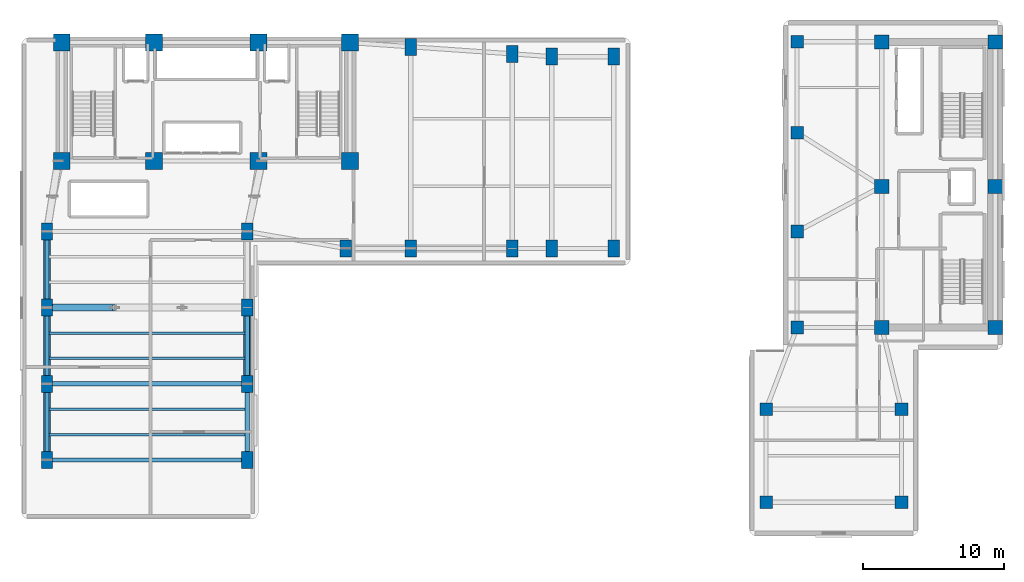
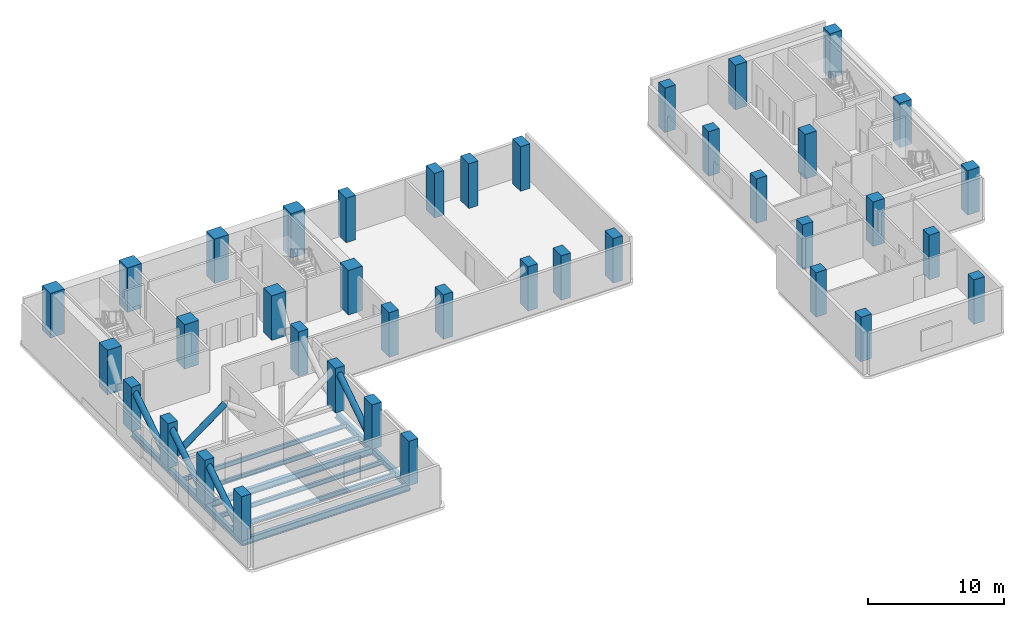
# One storey, part 1 of 9: 39 columns, 11 beams, 5 members.
"""IFC4 building model written with IfcOpenShell, lengths in metres."""

from ifc_helpers import new_model, si_unit, direction, frame, origin, origin_2d, place, context, subcontext, project, spatial, rectangle, hollow_circle, i_section, extrude, material, material_profile, profile_set, type_object, element, save


model = new_model("IFC4")

# Units and contexts
model_context = context("Model", 3, precision=1e-05, world=origin(), true_north=direction((0.0, 1.0)))
body_context = subcontext(model_context, "Body", "Model", "MODEL_VIEW")
ifc_project = project(units=[si_unit("LENGTHUNIT", "METRE"), si_unit("AREAUNIT", "SQUARE_METRE"), si_unit("VOLUMEUNIT", "CUBIC_METRE"), si_unit("PLANEANGLEUNIT", "RADIAN"), si_unit("MASSUNIT", "GRAM", prefix="KILO")], contexts=[model_context])

# Site, building, storey
site_placement = place(None, origin())
site = spatial("IfcSite", under=ifc_project, at=site_placement, CompositionType="ELEMENT")
building_placement = place(site_placement, origin())
building = spatial("IfcBuilding", under=site, at=building_placement, Name="Kuzgunbayir Cultural Tower", CompositionType="ELEMENT")
storey_placement = place(building_placement, frame((0.0, 0.0, 79.39990234375)))
storey = spatial("IfcBuildingStorey", under=building, at=storey_placement, Name="L22", CompositionType="ELEMENT", Elevation=79.39990234375)

# Columns
ifc_material_1 = material(Name="Concrete C60/75", Category="concrete")
ifc_material_profile_1 = material_profile(ifc_material_1, rectangle(XDim=1.199951171875, YDim=1.199951171875, at=origin_2d()), Name="RC 1200x1200")
ifc_profile_set_1 = profile_set([ifc_material_profile_1], Name="Concrete C60/75")
column_type_1 = type_object("IfcColumnType", Name="COL-CORE-1200", PredefinedType="COLUMN", material=ifc_profile_set_1)
for number, where, z_axis, x_axis, name in (
    (1, (6.449951171875, 33.800048828125, 0.0), (0.0, 0.0, 1.0), (1.0, 0.0, 0.0), "L22 T1 Core Boundary Column CC1-1"),
    (2, (13.0, 33.800048828125, 0.0), (0.0, 0.0, 1.0), (1.0, 0.0, 0.0), "L22 T1 Core Boundary Column CC1-2"),
    (3, (20.39990234375, 33.800048828125, 0.0), (0.0, 0.0, 1.0), (1.0, 0.0, 0.0), "L22 T1 Core Boundary Column CC1-3"),
    (4, (26.89990234375, 33.800048828125, 0.0), (0.0, 0.0, 1.0), (1.0, 0.0, 0.0), "L22 T1 Core Boundary Column CC1-4"),
    (5, (6.449951171875, 42.199951171875, 0.0), (0.0, 0.0, 1.0), (1.0, 0.0, 0.0), "L22 T1 Core Boundary Column CC1-5"),
    (6, (13.0, 42.199951171875, 0.0), (0.0, 0.0, 1.0), (1.0, 0.0, 0.0), "L22 T1 Core Boundary Column CC1-6"),
    (7, (20.39990234375, 42.199951171875, 0.0), (0.0, 0.0, 1.0), (1.0, 0.0, 0.0), "L22 T1 Core Boundary Column CC1-7"),
    (8, (26.89990234375, 42.199951171875, 0.0), (0.0, 0.0, 1.0), (1.0, 0.0, 0.0), "L22 T1 Core Boundary Column CC1-8"),
):
    element("IfcColumn", number, at=place(storey_placement, frame(where, z_axis=z_axis, x_axis=x_axis)), inside=storey, type_object=column_type_1, Name=name, PredefinedType="COLUMN", context=body_context, shape_type="SweptSolid", body=[
        extrude(rectangle(XDim=1.199951171875, YDim=1.199951171875, at=origin_2d()), origin(), (0.0, 0.0, 1.0), 4.0),
    ])
ifc_material_profile_2 = material_profile(ifc_material_1, rectangle(XDim=0.800048828125, YDim=1.199951171875, at=origin_2d()), Name="RC 1200x800")
ifc_profile_set_2 = profile_set([ifc_material_profile_2], Name="Concrete C60/75")
column_type_2 = type_object("IfcColumnType", Name="COL-T1-1200x800", PredefinedType="COLUMN", material=ifc_profile_set_2)
for number, where, z_axis, x_axis, name in (
    (9, (5.39990234375, 12.60009765625, 0.0), (0.0, 0.0, 1.0), (1.0, 0.0, 0.0), "L22 Tower 1 Wing A Column T1A-W-1"),
    (10, (19.60009765625, 12.60009765625, 0.0), (0.0, 0.0, 1.0), (1.0, 0.0, 0.0), "L22 Tower 1 Wing A Column T1A-E-1"),
    (11, (5.39990234375, 18.0, 0.0), (0.0, 0.0, 1.0), (1.0, 0.0, 0.0), "L22 Tower 1 Wing A Column T1A-W-2"),
    (12, (19.60009765625, 18.0, 0.0), (0.0, 0.0, 1.0), (1.0, 0.0, 0.0), "L22 Tower 1 Wing A Column T1A-E-2"),
    (13, (5.39990234375, 23.39990234375, 0.0), (0.0, 0.0, 1.0), (1.0, 0.0, 0.0), "L22 Tower 1 Wing A Column T1A-W-3"),
    (14, (19.60009765625, 23.39990234375, 0.0), (0.0, 0.0, 1.0), (1.0, 0.0, 0.0), "L22 Tower 1 Wing A Column T1A-E-3"),
    (15, (5.39990234375, 28.800048828125, 0.0), (0.0, 0.0, 1.0), (1.0, 0.0, 0.0), "L22 Tower 1 Wing A Column T1A-W-4"),
    (16, (19.60009765625, 28.800048828125, 0.0), (0.0, 0.0, 1.0), (1.0, 0.0, 0.0), "L22 Tower 1 Wing A Column T1A-E-4"),
    (17, (26.60009765625, 27.60009765625, 0.0), (0.0, 0.0, 1.0), (1.0, 0.0, 0.0), "L22 Tower 1 Wing B Column T1B-1-1"),
    (18, (31.199951171875, 27.60009765625, 0.0), (0.0, 0.0, 1.0), (1.0, 0.0, 0.0), "L22 Tower 1 Wing B Column T1B-2-1"),
    (19, (31.199951171875, 41.89990234375, 0.0), (0.0, 0.0, 1.0), (1.0, 0.0, 0.0), "L22 Tower 1 Wing B Column T1B-2-2"),
    (20, (38.39990234375, 27.60009765625, 0.0), (0.0, 0.0, 1.0), (1.0, 0.0, 0.0), "L22 Tower 1 Wing B Column T1B-3-1"),
    (21, (38.39990234375, 41.39990234375, 0.0), (0.0, 0.0, 1.0), (1.0, 0.0, 0.0), "L22 Tower 1 Wing B Column T1B-3-2"),
    (22, (41.199951171875, 27.60009765625, 0.0), (0.0, 0.0, 1.0), (1.0, 0.0, 0.0), "L22 Tower 1 Wing B Column T1B-4-1"),
    (23, (41.199951171875, 41.199951171875, 0.0), (0.0, 0.0, 1.0), (1.0, 0.0, 0.0), "L22 Tower 1 Wing B Column T1B-4-2"),
    (24, (45.60009765625, 27.60009765625, 0.0), (0.0, 0.0, 1.0), (1.0, 0.0, 0.0), "L22 Tower 1 Wing B Column T1B-5-1"),
    (25, (45.60009765625, 41.199951171875, 0.0), (0.0, 0.0, 1.0), (1.0, 0.0, 0.0), "L22 Tower 1 Wing B Column T1B-5-2"),
):
    element("IfcColumn", number, at=place(storey_placement, frame(where, z_axis=z_axis, x_axis=x_axis)), inside=storey, type_object=column_type_2, Name=name, PredefinedType="COLUMN", context=body_context, shape_type="SweptSolid", body=[
        extrude(rectangle(XDim=0.800048828125, YDim=1.199951171875, at=origin_2d()), origin(), (0.0, 0.0, 1.0), 4.0),
    ])
ifc_material_profile_3 = material_profile(ifc_material_1, rectangle(XDim=1.0, YDim=1.0, at=origin_2d()), Name="RC 1000x1000")
ifc_profile_set_3 = profile_set([ifc_material_profile_3], Name="Concrete C60/75")
column_type_3 = type_object("IfcColumnType", Name="COL-T2-1000", PredefinedType="COLUMN", material=ifc_profile_set_3)
for number, where, z_axis, x_axis, name in (
    (26, (64.60009765625, 22.0, 0.0), (0.0, 0.0, 1.0), (1.0, 0.0, 0.0), "L22 T2 Core Boundary Column CC2-1"),
    (27, (72.64990234375, 22.0, 0.0), (0.0, 0.0, 1.0), (1.0, 0.0, 0.0), "L22 T2 Core Boundary Column CC2-2"),
    (28, (64.60009765625, 32.0, 0.0), (0.0, 0.0, 1.0), (1.0, 0.0, 0.0), "L22 T2 Core Boundary Column CC2-3"),
    (29, (72.64990234375, 32.0, 0.0), (0.0, 0.0, 1.0), (1.0, 0.0, 0.0), "L22 T2 Core Boundary Column CC2-4"),
    (30, (64.60009765625, 42.25, 0.0), (0.0, 0.0, 1.0), (1.0, 0.0, 0.0), "L22 T2 Core Boundary Column CC2-5"),
    (31, (72.64990234375, 42.25, 0.0), (0.0, 0.0, 1.0), (1.0, 0.0, 0.0), "L22 T2 Core Boundary Column CC2-6"),
):
    element("IfcColumn", number, at=place(storey_placement, frame(where, z_axis=z_axis, x_axis=x_axis)), inside=storey, type_object=column_type_3, Name=name, PredefinedType="COLUMN", context=body_context, shape_type="SweptSolid", body=[
        extrude(rectangle(XDim=1.0, YDim=1.0, at=origin_2d()), origin(), (0.0, 0.0, 1.0), 4.0),
    ])
ifc_material_profile_4 = material_profile(ifc_material_1, rectangle(XDim=0.89990234375, YDim=0.89990234375, at=origin_2d()), Name="RC 900x900")
ifc_profile_set_4 = profile_set([ifc_material_profile_4], Name="Concrete C60/75")
column_type_4 = type_object("IfcColumnType", Name="COL-T2-900", PredefinedType="COLUMN", material=ifc_profile_set_4)
for number, where, z_axis, x_axis, name in (
    (32, (58.60009765625, 22.0, 0.0), (0.0, 0.0, 1.0), (1.0, 0.0, 0.0), "L22 Companion Wing A Column T2A-W-1"),
    (33, (58.60009765625, 28.800048828125, 0.0), (0.0, 0.0, 1.0), (1.0, 0.0, 0.0), "L22 Companion Wing A Column T2A-W-2"),
    (34, (58.60009765625, 35.800048828125, 0.0), (0.0, 0.0, 1.0), (1.0, 0.0, 0.0), "L22 Companion Wing A Column T2A-W-3"),
    (35, (58.60009765625, 42.25, 0.0), (0.0, 0.0, 1.0), (1.0, 0.0, 0.0), "L22 Companion Wing A Column T2A-W-4"),
    (36, (56.39990234375, 9.60009765625, 0.0), (0.0, 0.0, 1.0), (1.0, 0.0, 0.0), "L22 Companion Wing B Column T2B-1-1"),
    (37, (56.39990234375, 16.199951171875, 0.0), (0.0, 0.0, 1.0), (1.0, 0.0, 0.0), "L22 Companion Wing B Column T2B-1-2"),
    (38, (66.0, 9.60009765625, 0.0), (0.0, 0.0, 1.0), (1.0, 0.0, 0.0), "L22 Companion Wing B Column T2B-2-1"),
    (39, (66.0, 16.199951171875, 0.0), (0.0, 0.0, 1.0), (1.0, 0.0, 0.0), "L22 Companion Wing B Column T2B-2-2"),
):
    element("IfcColumn", number, at=place(storey_placement, frame(where, z_axis=z_axis, x_axis=x_axis)), inside=storey, type_object=column_type_4, Name=name, PredefinedType="COLUMN", context=body_context, shape_type="SweptSolid", body=[
        extrude(rectangle(XDim=0.89990234375, YDim=0.89990234375, at=origin_2d()), origin(), (0.0, 0.0, 1.0), 4.0),
    ])

# Beams
ifc_material_2 = material(Name="Steel S355J2", Category="steel")
ifc_material_profile_5 = material_profile(ifc_material_2, i_section(OverallWidth=0.300048828125, OverallDepth=0.60009765625, WebThickness=0.015380859375, FlangeThickness=0.030029296875, FilletRadius=0.027099609375, at=origin_2d()), Name="HEB 600")
ifc_profile_set_5 = profile_set([ifc_material_profile_5], Name="Steel S355J2")
beam_type_1 = type_object("IfcBeamType", Name="BM-EXT-HEB600", PredefinedType="BEAM", material=ifc_profile_set_5)
for number, where, z_axis, x_axis, name in (
    (40, (5.39990234375, 12.60009765625, -0.539794921875), (0.0, 1.0, 0.0), (-1.0, 0.0, 0.0), "L22 Wing A West Girder 1"),
    (41, (19.60009765625, 12.60009765625, -0.539794921875), (0.0, 1.0, 0.0), (-1.0, 0.0, 0.0), "L22 Wing A East Girder 1"),
    (42, (5.39990234375, 18.0, -0.539794921875), (0.0, 1.0, 0.0), (-1.0, 0.0, 0.0), "L22 Wing A West Girder 2"),
    (43, (19.60009765625, 18.0, -0.539794921875), (0.0, 1.0, 0.0), (-1.0, 0.0, 0.0), "L22 Wing A East Girder 2"),
):
    element("IfcBeam", number, at=place(storey_placement, frame(where, z_axis=z_axis, x_axis=x_axis)), inside=storey, type_object=beam_type_1, Name=name, PredefinedType="BEAM", context=body_context, shape_type="SweptSolid", body=[
        extrude(i_section(OverallWidth=0.300048828125, OverallDepth=0.60009765625, WebThickness=0.015380859375, FlangeThickness=0.030029296875, FilletRadius=0.027099609375, at=origin_2d()), origin(), (0.0, 0.0, 1.0), 5.39990234375),
    ])
beam_placement = place(storey_placement, frame((5.39990234375, 23.39990234375, -0.539794921875), z_axis=(0.0, 1.0, 0.0), x_axis=(-1.0, 0.0, 0.0)))
element("IfcBeam", 44, at=beam_placement, inside=storey, type_object=beam_type_1, Name="L22 Wing A West Girder 3", PredefinedType="BEAM", context=body_context, shape_type="SweptSolid", body=[
    extrude(i_section(OverallWidth=0.300048828125, OverallDepth=0.60009765625, WebThickness=0.015380859375, FlangeThickness=0.030029296875, FilletRadius=0.027099609375, at=origin_2d()), origin(), (0.0, 0.0, 1.0), 5.400146484375),
])
ifc_material_profile_6 = material_profile(ifc_material_2, i_section(OverallWidth=0.300048828125, OverallDepth=0.60009765625, WebThickness=0.015380859375, FlangeThickness=0.030029296875, FilletRadius=0.027099609375, at=origin_2d()), Name="HEB 600")
ifc_profile_set_6 = profile_set([ifc_material_profile_6], Name="Steel S355J2")
beam_type_2 = type_object("IfcBeamType", Name="BM-GIR-HEB600", PredefinedType="BEAM", material=ifc_profile_set_6)
for number, where, z_axis, x_axis, name in (
    (45, (5.39990234375, 12.60009765625, -0.539794921875), (1.0, 0.0, 0.0), (0.0, 1.0, 0.0), "L22 Wing A Transverse Girder 1"),
    (46, (5.39990234375, 18.0, -0.539794921875), (1.0, 0.0, 0.0), (0.0, 1.0, 0.0), "L22 Wing A Transverse Girder 2"),
):
    element("IfcBeam", number, at=place(storey_placement, frame(where, z_axis=z_axis, x_axis=x_axis)), inside=storey, type_object=beam_type_2, Name=name, PredefinedType="BEAM", context=body_context, shape_type="SweptSolid", body=[
        extrude(i_section(OverallWidth=0.300048828125, OverallDepth=0.60009765625, WebThickness=0.015380859375, FlangeThickness=0.030029296875, FilletRadius=0.027099609375, at=origin_2d()), origin(), (0.0, 0.0, 1.0), 14.2001953125),
    ])
ifc_material_profile_7 = material_profile(ifc_material_2, i_section(OverallWidth=0.179931640625, OverallDepth=0.39990234375, WebThickness=0.008544921875, FlangeThickness=0.013427734375, FilletRadius=0.02099609375, at=origin_2d()), Name="IPE 400")
ifc_profile_set_7 = profile_set([ifc_material_profile_7], Name="Steel S355J2")
beam_type_3 = type_object("IfcBeamType", Name="BM-JST-IPE400", PredefinedType="JOIST", material=ifc_profile_set_7)
for number, where, z_axis, x_axis, name in (
    (47, (5.550048828125, 14.39990234375, -0.43994140625), (1.0, 0.0, 0.0), (0.0, 1.0, 0.0), "L22 Wing A Secondary Joist 1"),
    (48, (5.550048828125, 16.199951171875, -0.43994140625), (1.0, 0.0, 0.0), (0.0, 1.0, 0.0), "L22 Wing A Secondary Joist 2"),
    (49, (5.550048828125, 19.800048828125, -0.43994140625), (1.0, 0.0, 0.0), (0.0, 1.0, 0.0), "L22 Wing A Secondary Joist 3"),
    (50, (5.550048828125, 21.60009765625, -0.43994140625), (1.0, 0.0, 0.0), (0.0, 1.0, 0.0), "L22 Wing A Secondary Joist 4"),
):
    element("IfcBeam", number, at=place(storey_placement, frame(where, z_axis=z_axis, x_axis=x_axis)), inside=storey, type_object=beam_type_3, Name=name, PredefinedType="JOIST", context=body_context, shape_type="SweptSolid", body=[
        extrude(i_section(OverallWidth=0.179931640625, OverallDepth=0.39990234375, WebThickness=0.008544921875, FlangeThickness=0.013427734375, FilletRadius=0.02099609375, at=origin_2d()), origin(), (0.0, 0.0, 1.0), 13.89990234375),
    ])

# Members
ifc_material_3 = material(Name="Steel S460M", Category="steel")
ifc_material_profile_8 = material_profile(ifc_material_3, hollow_circle(Radius=0.25390625, WallThickness=0.02490234375, at=origin_2d()), Name="CHS 508x25")
ifc_profile_set_8 = profile_set([ifc_material_profile_8], Name="Steel S460M")
member_type = type_object("IfcMemberType", Name="MEM-OUT-CHS508", PredefinedType="BRACE", material=ifc_profile_set_8)
member_1_placement = place(storey_placement, frame((5.39990234375, 18.0, 0.1201171875), z_axis=(0.0, 0.837017610932, 0.547175948841), x_axis=(-1.0, 0.0, 0.0)))
element("IfcMember", 51, at=member_1_placement, inside=storey, type_object=member_type, Name="L22 Outrigger and Belt Truss Diagonal 1", PredefinedType="BRACE", context=body_context, shape_type="SweptSolid", body=[
    extrude(hollow_circle(Radius=0.25390625, WallThickness=0.02490234375, at=origin_2d()), origin(), (0.0, 0.0, 1.0), 6.451416015625),
])
member_2_placement = place(storey_placement, frame((5.39990234375, 23.39990234375, 0.1201171875), z_axis=(0.0, 0.837028940728, 0.547158617206), x_axis=(-1.0, 0.0, 0.0)))
element("IfcMember", 52, at=member_2_placement, inside=storey, type_object=member_type, Name="L22 Outrigger and Belt Truss Diagonal 2", PredefinedType="BRACE", context=body_context, shape_type="SweptSolid", body=[
    extrude(hollow_circle(Radius=0.25390625, WallThickness=0.02490234375, at=origin_2d()), origin(), (0.0, 0.0, 1.0), 6.45166015625),
])
member_3_placement = place(storey_placement, frame((19.60009765625, 18.0, 0.1201171875), z_axis=(0.0, 0.837017610932, 0.547175948841), x_axis=(-1.0, 0.0, 0.0)))
element("IfcMember", 53, at=member_3_placement, inside=storey, type_object=member_type, Name="L22 Outrigger and Belt Truss Diagonal 3", PredefinedType="BRACE", context=body_context, shape_type="SweptSolid", body=[
    extrude(hollow_circle(Radius=0.25390625, WallThickness=0.02490234375, at=origin_2d()), origin(), (0.0, 0.0, 1.0), 6.451416015625),
])
member_4_placement = place(storey_placement, frame((5.39990234375, 23.39990234375, 0.1201171875), z_axis=(0.805604421806, 0.0, 0.592453808804), x_axis=(0.0, 1.0, 0.0)))
element("IfcMember", 54, at=member_4_placement, inside=storey, type_object=member_type, Name="L22 Outrigger and Belt Truss Diagonal 5", PredefinedType="BRACE", context=body_context, shape_type="SweptSolid", body=[
    extrude(hollow_circle(Radius=0.25390625, WallThickness=0.02490234375, at=origin_2d()), origin(), (0.0, 0.0, 1.0), 5.958251953125),
])
member_5_placement = place(storey_placement, frame((5.39990234375, 12.60009765625, 0.1201171875), z_axis=(0.0, 0.837017610932, 0.547175948841), x_axis=(-1.0, 0.0, 0.0)))
element("IfcMember", 55, at=member_5_placement, inside=storey, type_object=member_type, Name="L22 Outrigger and Belt Truss Diagonal 8", PredefinedType="BRACE", context=body_context, shape_type="SweptSolid", body=[
    extrude(hollow_circle(Radius=0.25390625, WallThickness=0.02490234375, at=origin_2d()), origin(), (0.0, 0.0, 1.0), 6.451416015625),
])

save(model, "model.ifc")
